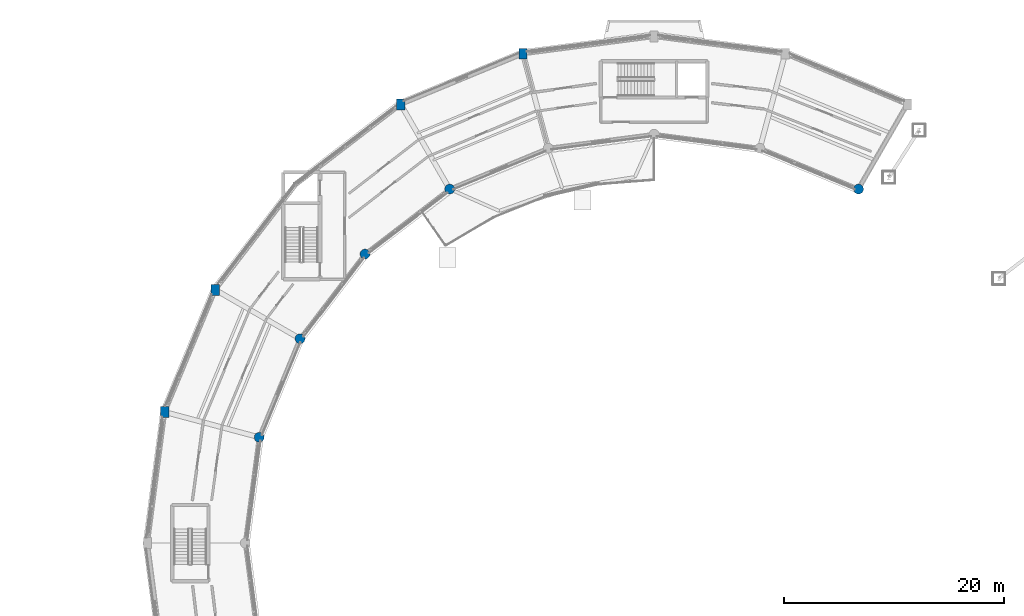
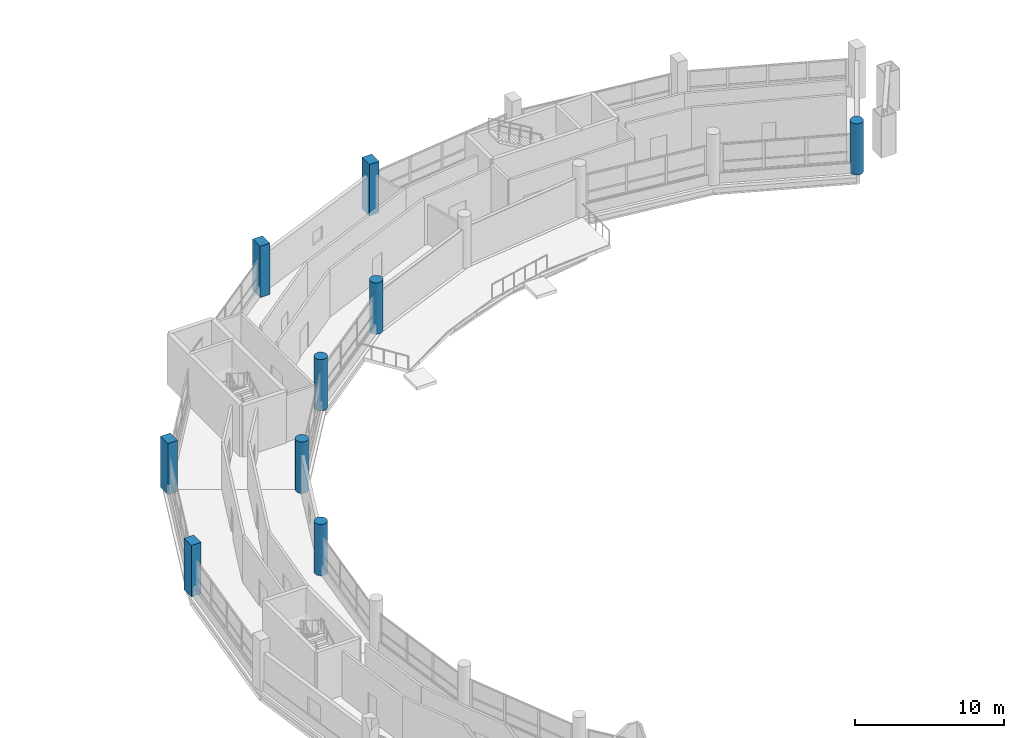
# One storey, part 8 of 128: 9 columns.
"""IFC4 building model written with IfcOpenShell, lengths in metres."""

from ifc_helpers import new_model, si_unit, direction, frame, origin, origin_2d, place, context, subcontext, project, spatial, rectangle, circle, extrude, material, material_profile, profile_set, type_object, element, save


model = new_model("IFC4")

# Units and contexts
model_context = context("Model", 3, precision=1e-05, world=origin(), true_north=direction((0.0, 1.0)))
body_context = subcontext(model_context, "Body", "Model", "MODEL_VIEW")
ifc_project = project(units=[si_unit("LENGTHUNIT", "METRE"), si_unit("AREAUNIT", "SQUARE_METRE"), si_unit("VOLUMEUNIT", "CUBIC_METRE"), si_unit("PLANEANGLEUNIT", "RADIAN"), si_unit("MASSUNIT", "GRAM", prefix="KILO")], contexts=[model_context])

# Site, building, storey
site_placement = place(None, origin())
site = spatial("IfcSite", under=ifc_project, at=site_placement, CompositionType="ELEMENT")
building_placement = place(site_placement, origin())
building = spatial("IfcBuilding", under=site, at=building_placement, Name="Vespera Passage Community Centre", CompositionType="ELEMENT")
storey_placement = place(building_placement, frame((0.0, 0.0, 4.5)))
storey = spatial("IfcBuildingStorey", under=building, at=storey_placement, Name="L01", CompositionType="ELEMENT", Elevation=4.5)

# Columns
ifc_material_1 = material(Name="Concrete f'c 45 MPa", Category="concrete")
ifc_material_profile_1 = material_profile(ifc_material_1, rectangle(XDim=0.75, YDim=1.0, at=origin_2d()), Name="RC1000X750")
ifc_profile_set_1 = profile_set([ifc_material_profile_1], Name="Concrete f'c 45 MPa")
column_type_1 = type_object("IfcColumnType", Name="COL-RC1000X750E", PredefinedType="COLUMN", material=ifc_profile_set_1)
for number, where, z_axis, x_axis, name in (
    (1, (66.068359375, 110.029296875, 0.0), (0.0, 0.0, 1.0), (1.0, 0.0, 0.0), "L01 Column V4-O07"),
    (2, (54.949951171875, 105.423828125, 0.0), (0.0, 0.0, 1.0), (1.0, 0.0, 0.0), "L01 Column V4-O08"),
    (3, (38.076171875, 88.550048828125, 0.0), (0.0, 0.0, 1.0), (1.0, 0.0, 0.0), "L01 Column V4-O10"),
    (4, (33.470703125, 77.431640625, 0.0), (0.0, 0.0, 1.0), (1.0, 0.0, 0.0), "L01 Column V4-O11"),
):
    element("IfcColumn", number, at=place(storey_placement, frame(where, z_axis=z_axis, x_axis=x_axis)), inside=storey, type_object=column_type_1, Name=name, PredefinedType="COLUMN", context=body_context, shape_type="SweptSolid", body=[
        extrude(rectangle(XDim=0.75, YDim=1.0, at=origin_2d()), origin(), (0.0, 0.0, 1.0), 4.199951171875),
    ])
ifc_material_2 = material(Name="Concrete f'c 45 MPa", Category="concrete")
ifc_material_profile_2 = material_profile(ifc_material_2, circle(Radius=0.449951171875, at=origin_2d()), Name="RC900DIA")
ifc_profile_set_2 = profile_set([ifc_material_profile_2], Name="Concrete f'c 45 MPa")
column_type_2 = type_object("IfcColumnType", Name="COL-RC900DIAE", PredefinedType="COLUMN", material=ifc_profile_set_2)
for number, where, z_axis, x_axis, name in (
    (5, (96.60009765625, 97.716064453125, 0.0), (0.0, 0.0, 1.0), (1.0, 0.0, 0.0), "L01 Column V4-I04"),
    (6, (59.39990234375, 97.716064453125, 0.0), (0.0, 0.0, 1.0), (1.0, 0.0, 0.0), "L01 Column V4-I08"),
    (7, (51.695556640625, 91.804443359375, 0.0), (0.0, 0.0, 1.0), (1.0, 0.0, 0.0), "L01 Column V4-I09"),
    (8, (45.783935546875, 84.10009765625, 0.0), (0.0, 0.0, 1.0), (1.0, 0.0, 0.0), "L01 Column V4-I10"),
    (9, (42.067626953125, 75.128173828125, 0.0), (0.0, 0.0, 1.0), (1.0, 0.0, 0.0), "L01 Column V4-I11"),
):
    element("IfcColumn", number, at=place(storey_placement, frame(where, z_axis=z_axis, x_axis=x_axis)), inside=storey, type_object=column_type_2, Name=name, PredefinedType="COLUMN", context=body_context, shape_type="SweptSolid", body=[
        extrude(circle(Radius=0.449951171875, at=origin_2d()), origin(), (0.0, 0.0, 1.0), 4.199951171875),
    ])

save(model, "model.ifc")
